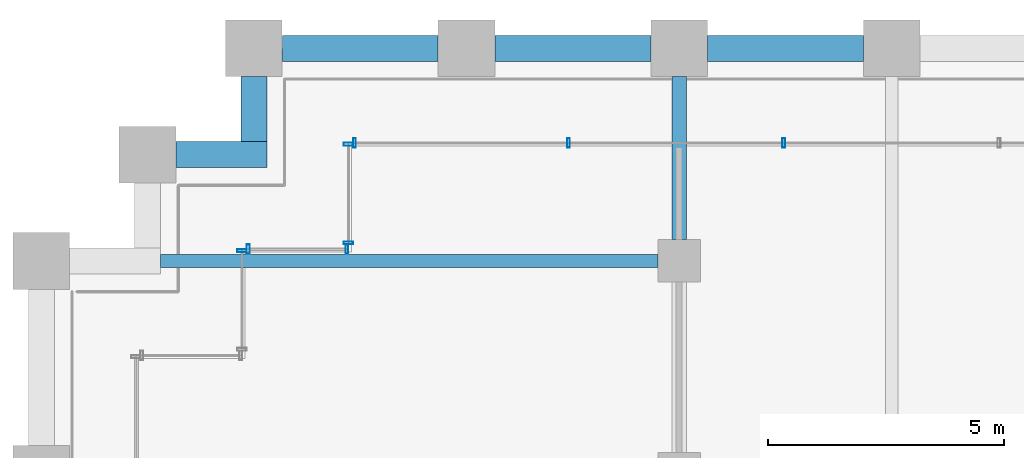
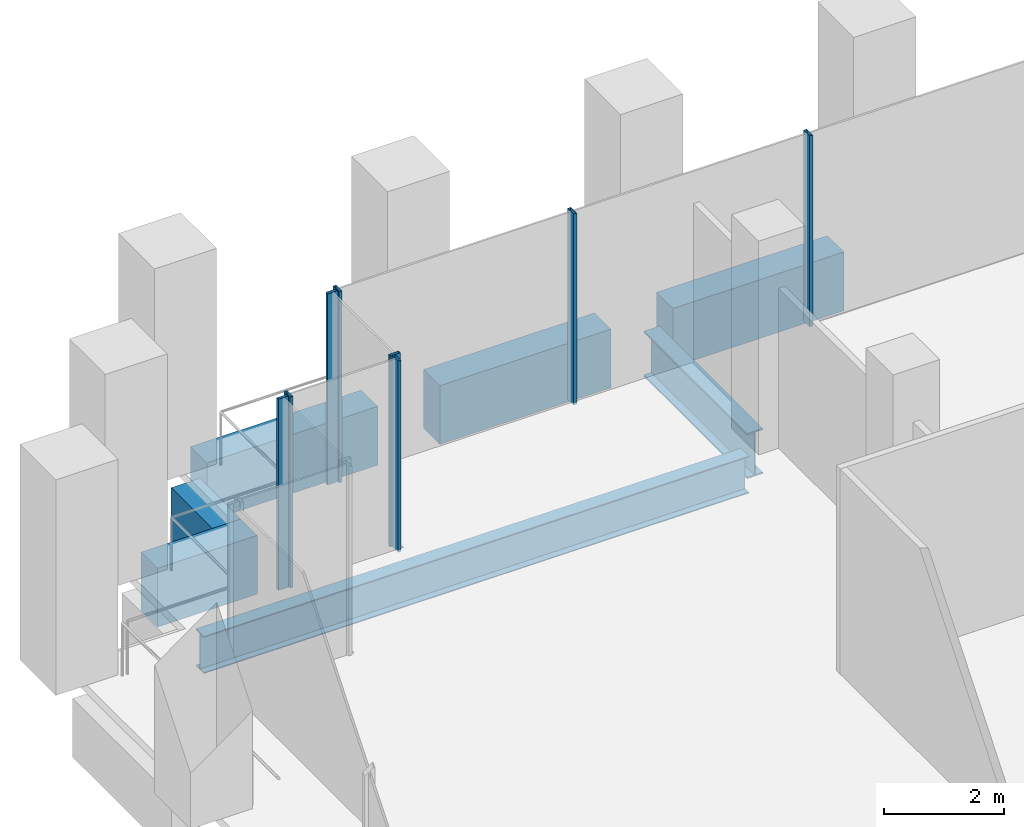
# One storey, part 14 of 36: 8 members, 7 beams, 4 elements without a shape of their own.
"""IFC4 building model written with IfcOpenShell, lengths in metres."""

from ifc_helpers import new_model, si_unit, direction, frame, origin, origin_2d, place, context, subcontext, project, spatial, rectangle, hollow_rectangle, i_section, extrude, material, material_profile, profile_set, type_object, element, aggregate, save


model = new_model("IFC4")

# Units and contexts
model_context = context("Model", 3, precision=1e-05, world=origin(), true_north=direction((0.0, 1.0)))
body_context = subcontext(model_context, "Body", "Model", "MODEL_VIEW")
ifc_project = project(units=[si_unit("LENGTHUNIT", "METRE"), si_unit("AREAUNIT", "SQUARE_METRE"), si_unit("VOLUMEUNIT", "CUBIC_METRE"), si_unit("PLANEANGLEUNIT", "RADIAN"), si_unit("MASSUNIT", "GRAM", prefix="KILO")], contexts=[model_context])

# Site, building, storey
site_placement = place(None, origin())
site = spatial("IfcSite", under=ifc_project, at=site_placement, CompositionType="ELEMENT")
building_placement = place(site_placement, origin())
building = spatial("IfcBuilding", under=site, at=building_placement, Name="Altepetl Exchange Towers", CompositionType="ELEMENT")
storey_placement = place(building_placement, frame((0.0, 0.0, 34.199951171875)))
storey = spatial("IfcBuildingStorey", under=building, at=storey_placement, Name="L07", CompositionType="ELEMENT", Elevation=34.199951171875)

# Beams
ifc_material_1 = material(Name="Steel S355", Category="steel")
ifc_material_profile_1 = material_profile(ifc_material_1, i_section(OverallWidth=0.26611328125, OverallDepth=0.758056640625, WebThickness=0.013916015625, FlangeThickness=0.019287109375, at=origin_2d()), Name="W30X108")
ifc_profile_set_1 = profile_set([ifc_material_profile_1], Name="Steel S355")
beam_type_1 = type_object("IfcBeamType", Name="Floor beam W30X108", PredefinedType="BEAM", material=ifc_profile_set_1)
beam_1_placement = place(storey_placement, frame((29.52490234375, 67.5, -0.553955078125), z_axis=(1.0, 0.0, 0.0), x_axis=(0.0, 1.0, 0.0)))
element("IfcBeam", 1, at=beam_1_placement, inside=storey, type_object=beam_type_1, Name="bm:A:L07:023", PredefinedType="BEAM", context=body_context, shape_type="SweptSolid", body=[
    extrude(i_section(OverallWidth=0.26611328125, OverallDepth=0.758056640625, WebThickness=0.013916015625, FlangeThickness=0.019287109375, at=origin_2d()), origin(), (0.0, 0.0, 1.0), 10.525146484375),
])
ifc_material_profile_2 = material_profile(ifc_material_1, i_section(OverallWidth=0.306884765625, OverallDepth=0.923095703125, WebThickness=0.018310546875, FlangeThickness=0.030029296875, at=origin_2d()), Name="W36X182")
ifc_profile_set_2 = profile_set([ifc_material_profile_2], Name="Steel S355")
beam_type_2 = type_object("IfcBeamType", Name="Girder W36X182", PredefinedType="BEAM", material=ifc_profile_set_2)
beam_2_placement = place(storey_placement, frame((40.5, 71.39990234375, -0.636474609375), z_axis=(0.0, -1.0, 0.0), x_axis=(1.0, 0.0, 0.0)))
element("IfcBeam", 2, at=beam_2_placement, inside=storey, type_object=beam_type_2, Name="gd:A:L07:003", PredefinedType="BEAM", context=body_context, shape_type="SweptSolid", body=[
    extrude(i_section(OverallWidth=0.306884765625, OverallDepth=0.923095703125, WebThickness=0.018310546875, FlangeThickness=0.030029296875, at=origin_2d()), origin(), (0.0, 0.0, 1.0), 3.449951171875),
])

# Curtain wall, members
ifc_material_2 = material(Name="Aluminium 6063-T6 glazing", Category="aluminium")
curtain_wall_type = type_object("IfcCurtainWallType", Name="Trading floor glazing system", PredefinedType="NOTDEFINED", material=ifc_material_2)
curtain_wall_1_placement = place(storey_placement, origin())
curtain_wall_1 = element("IfcCurtainWall", 3, at=curtain_wall_1_placement, inside=storey, type_object=curtain_wall_type, Name="CW2 run", PredefinedType="NOTDEFINED")
ifc_material_3 = material(Name="Aluminium 6063-T6", Category="aluminium")
ifc_material_profile_3 = material_profile(ifc_material_3, hollow_rectangle(XDim=0.06005859375, YDim=0.199951171875, WallThickness=0.0029296875, at=origin_2d()), Name="Mullion 60x200 aluminium")
ifc_profile_set_3 = profile_set([ifc_material_profile_3], Name="Aluminium 6063-T6")
member_type = type_object("IfcMemberType", Name="Mullion 60x200 aluminium", PredefinedType="MULLION", material=ifc_profile_set_3)
member_1_placement = place(storey_placement, frame((42.71435546875, 70.0, 0.0), z_axis=(0.0, 0.0, 1.0), x_axis=(-1.0, 0.0, 0.0)))
member_1 = element("IfcMember", 4, at=member_1_placement, type_object=member_type, Name="MU2 mullion", PredefinedType="MULLION", context=body_context, shape_type="SweptSolid", body=[
    extrude(hollow_rectangle(XDim=0.06005859375, YDim=0.199951171875, WallThickness=0.0029296875, at=origin_2d()), origin(), (0.0, 0.0, 1.0), 3.900146484375),
])
member_2_placement = place(storey_placement, frame((38.1572265625, 70.0, 0.0), z_axis=(0.0, 0.0, 1.0), x_axis=(-1.0, 0.0, 0.0)))
member_2 = element("IfcMember", 5, at=member_2_placement, type_object=member_type, Name="MU2 mullion", PredefinedType="MULLION", context=body_context, shape_type="SweptSolid", body=[
    extrude(hollow_rectangle(XDim=0.06005859375, YDim=0.199951171875, WallThickness=0.0029296875, at=origin_2d()), origin(), (0.0, 0.0, 1.0), 3.900146484375),
])
member_3_placement = place(storey_placement, frame((33.6298828125, 70.0, 0.0), z_axis=(0.0, 0.0, 1.0), x_axis=(-1.0, 0.0, 0.0)))
member_3 = element("IfcMember", 6, at=member_3_placement, type_object=member_type, Name="MU2 mullion", PredefinedType="MULLION", context=body_context, shape_type="SweptSolid", body=[
    extrude(hollow_rectangle(XDim=0.06005859375, YDim=0.199951171875, WallThickness=0.0029296875, at=origin_2d()), origin(), (0.0, 0.0, 1.0), 3.900146484375),
])
aggregate(curtain_wall_1, [member_1, member_2, member_3])

curtain_wall_2_placement = place(storey_placement, origin())
curtain_wall_2 = element("IfcCurtainWall", 7, at=curtain_wall_2_placement, inside=storey, type_object=curtain_wall_type, Name="CW2 run", PredefinedType="NOTDEFINED")
member_4_placement = place(storey_placement, frame((33.5, 69.969970703125, 0.0), z_axis=(0.0, 0.0, 1.0), x_axis=(0.0, -1.0, 0.0)))
member_4 = element("IfcMember", 8, at=member_4_placement, type_object=member_type, Name="MU2 mullion", PredefinedType="MULLION", context=body_context, shape_type="SweptSolid", body=[
    extrude(hollow_rectangle(XDim=0.06005859375, YDim=0.199951171875, WallThickness=0.0029296875, at=origin_2d()), origin(), (0.0, 0.0, 1.0), 3.900146484375),
])
member_5_placement = place(storey_placement, frame((33.5, 67.8798828125, 0.0), z_axis=(0.0, 0.0, 1.0), x_axis=(0.0, -1.0, 0.0)))
member_5 = element("IfcMember", 9, at=member_5_placement, type_object=member_type, Name="MU2 mullion", PredefinedType="MULLION", context=body_context, shape_type="SweptSolid", body=[
    extrude(hollow_rectangle(XDim=0.06005859375, YDim=0.199951171875, WallThickness=0.0029296875, at=origin_2d()), origin(), (0.0, 0.0, 1.0), 3.900146484375),
])
aggregate(curtain_wall_2, [member_4, member_5])

curtain_wall_3_placement = place(storey_placement, origin())
curtain_wall_3 = element("IfcCurtainWall", 10, at=curtain_wall_3_placement, inside=storey, type_object=curtain_wall_type, Name="CW2 run", PredefinedType="NOTDEFINED")
member_6_placement = place(storey_placement, frame((33.469970703125, 67.75, 0.0), z_axis=(0.0, 0.0, 1.0), x_axis=(-1.0, 0.0, 0.0)))
member_6 = element("IfcMember", 11, at=member_6_placement, type_object=member_type, Name="MU2 mullion", PredefinedType="MULLION", context=body_context, shape_type="SweptSolid", body=[
    extrude(hollow_rectangle(XDim=0.06005859375, YDim=0.199951171875, WallThickness=0.0029296875, at=origin_2d()), origin(), (0.0, 0.0, 1.0), 3.900146484375),
])
member_7_placement = place(storey_placement, frame((31.3798828125, 67.75, 0.0), z_axis=(0.0, 0.0, 1.0), x_axis=(-1.0, 0.0, 0.0)))
member_7 = element("IfcMember", 12, at=member_7_placement, type_object=member_type, Name="MU2 mullion", PredefinedType="MULLION", context=body_context, shape_type="SweptSolid", body=[
    extrude(hollow_rectangle(XDim=0.06005859375, YDim=0.199951171875, WallThickness=0.0029296875, at=origin_2d()), origin(), (0.0, 0.0, 1.0), 3.900146484375),
])
aggregate(curtain_wall_3, [member_6, member_7])

# Curtain wall, member
curtain_wall_4_placement = place(storey_placement, origin())
curtain_wall_4 = element("IfcCurtainWall", 13, at=curtain_wall_4_placement, inside=storey, type_object=curtain_wall_type, Name="CW2 run", PredefinedType="NOTDEFINED")
member_8_placement = place(storey_placement, frame((31.25, 67.719970703125, 0.0), z_axis=(0.0, 0.0, 1.0), x_axis=(0.0, -1.0, 0.0)))
member_8 = element("IfcMember", 14, at=member_8_placement, type_object=member_type, Name="MU2 mullion", PredefinedType="MULLION", context=body_context, shape_type="SweptSolid", body=[
    extrude(hollow_rectangle(XDim=0.06005859375, YDim=0.199951171875, WallThickness=0.0029296875, at=origin_2d()), origin(), (0.0, 0.0, 1.0), 3.900146484375),
])
aggregate(curtain_wall_4, [member_8])

# Beams
ifc_material_4 = material(Name="Concrete C50/60 precast with cantera rosa facing", Category="concrete")
ifc_material_profile_4 = material_profile(ifc_material_4, rectangle(XDim=0.550048828125, YDim=1.199951171875, at=origin_2d()), Name="550 x 1200")
ifc_profile_set_4 = profile_set([ifc_material_profile_4], Name="Concrete C50/60 precast with cantera rosa facing")
beam_type_3 = type_object("IfcBeamType", Name="Spandrel beam 550x1200 cantera rosa", PredefinedType="SPANDREL", material=ifc_profile_set_4)
beam_3_placement = place(storey_placement, frame((44.39990234375, 72.0, -0.77490234375), z_axis=(-1.0, 0.0, 0.0), x_axis=(0.0, -1.0, 0.0)))
element("IfcBeam", 15, at=beam_3_placement, inside=storey, type_object=beam_type_3, Name="sp:A:L07:029", PredefinedType="SPANDREL", context=body_context, shape_type="SweptSolid", body=[
    extrude(rectangle(XDim=0.550048828125, YDim=1.199951171875, at=origin_2d()), origin(), (0.0, 0.0, 1.0), 3.2998046875),
])
ifc_material_5 = material(Name="Concrete C50/60 precast with tezontle facing", Category="concrete")
ifc_material_profile_5 = material_profile(ifc_material_5, rectangle(XDim=0.550048828125, YDim=1.199951171875, at=origin_2d()), Name="550 x 1200")
ifc_profile_set_5 = profile_set([ifc_material_profile_5], Name="Concrete C50/60 precast with tezontle facing")
beam_type_4 = type_object("IfcBeamType", Name="Spandrel beam 550x1200 tezontle", PredefinedType="SPANDREL", material=ifc_profile_set_5)
for number, where, z_axis, x_axis, name in (
    (16, (39.89990234375, 72.0, -0.77490234375), (-1.0, 0.0, 0.0), (0.0, -1.0, 0.0), "sp:A:L07:030"),
    (17, (35.39990234375, 72.0, -0.77490234375), (-1.0, 0.0, 0.0), (0.0, -1.0, 0.0), "sp:A:L07:031"),
):
    element("IfcBeam", number, at=place(storey_placement, frame(where, z_axis=z_axis, x_axis=x_axis)), inside=storey, type_object=beam_type_4, Name=name, PredefinedType="SPANDREL", context=body_context, shape_type="SweptSolid", body=[
        extrude(rectangle(XDim=0.550048828125, YDim=1.199951171875, at=origin_2d()), origin(), (0.0, 0.0, 1.0), 3.2998046875),
    ])
beam_4_placement = place(storey_placement, frame((31.5, 71.39990234375, -0.77490234375), z_axis=(0.0, -1.0, 0.0), x_axis=(1.0, 0.0, 0.0)))
element("IfcBeam", 18, at=beam_4_placement, inside=storey, type_object=beam_type_4, Name="sp:A:L07:032", PredefinedType="SPANDREL", context=body_context, shape_type="SweptSolid", body=[
    extrude(rectangle(XDim=0.550048828125, YDim=1.199951171875, at=origin_2d()), origin(), (0.0, 0.0, 1.0), 1.375),
])
beam_5_placement = place(storey_placement, frame((31.77490234375, 69.75, -0.77490234375), z_axis=(-1.0, 0.0, 0.0), x_axis=(0.0, -1.0, 0.0)))
element("IfcBeam", 19, at=beam_5_placement, inside=storey, type_object=beam_type_4, Name="sp:A:L07:033", PredefinedType="SPANDREL", context=body_context, shape_type="SweptSolid", body=[
    extrude(rectangle(XDim=0.550048828125, YDim=1.199951171875, at=origin_2d()), origin(), (0.0, 0.0, 1.0), 1.9248046875),
])

save(model, "model.ifc")
